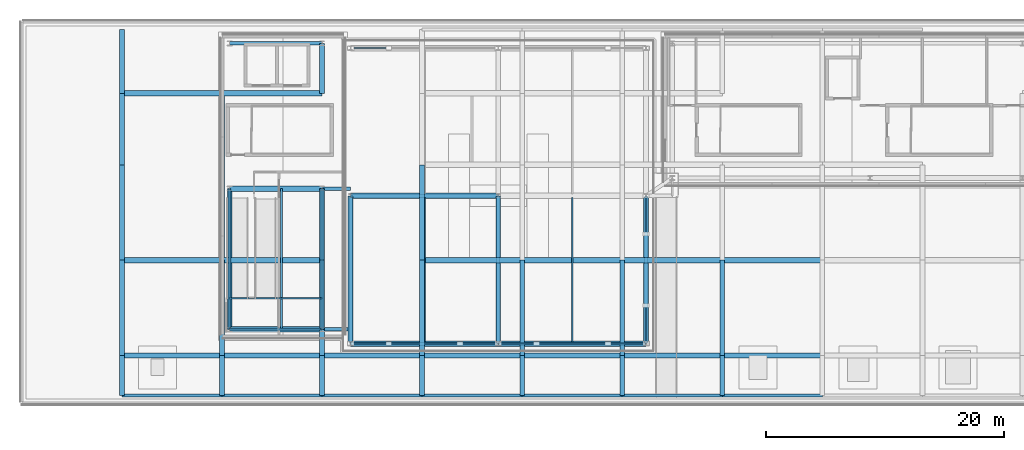
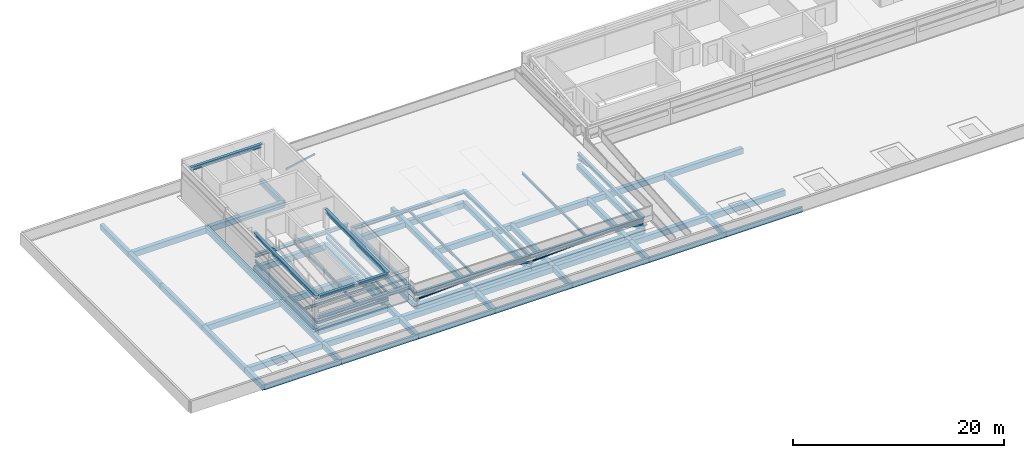
# One storey, part 3 of 14: 73 beams, 9 members.
"""IFC4 building model written with IfcOpenShell, lengths in metres."""

from ifc_helpers import new_model, si_unit, direction, frame, origin, origin_2d, place, context, subcontext, project, spatial, rectangle, hollow_rectangle, hollow_circle, i_section, extrude, material, material_profile, profile_set, type_object, element, save


model = new_model("IFC4")

# Units and contexts
model_context = context("Model", 3, precision=1e-05, world=origin(), true_north=direction((0.0, 1.0)))
body_context = subcontext(model_context, "Body", "Model", "MODEL_VIEW")
ifc_project = project(units=[si_unit("LENGTHUNIT", "METRE"), si_unit("AREAUNIT", "SQUARE_METRE"), si_unit("VOLUMEUNIT", "CUBIC_METRE"), si_unit("PLANEANGLEUNIT", "RADIAN"), si_unit("MASSUNIT", "GRAM", prefix="KILO")], contexts=[model_context])

# Site, building, storey
site_placement = place(None, origin())
site = spatial("IfcSite", under=ifc_project, at=site_placement, CompositionType="ELEMENT")
building_placement = place(site_placement, origin())
building = spatial("IfcBuilding", under=site, at=building_placement, Name="Selatvlak General Hospital", CompositionType="ELEMENT")
storey_placement = place(building_placement, frame((0.0, 0.0, 39.449951171875)))
storey = spatial("IfcBuildingStorey", under=building, at=storey_placement, Name="RF", CompositionType="ELEMENT", Elevation=39.449951171875)

# Beams
ifc_material_1 = material(Name="Concrete C40/50", Category="concrete")
ifc_material_profile_1 = material_profile(ifc_material_1, rectangle(XDim=0.449951171875, YDim=0.64990234375, at=origin_2d()), Name="RC-BM 450x650")
ifc_profile_set_1 = profile_set([ifc_material_profile_1], Name="Concrete C40/50")
beam_type_1 = type_object("IfcBeamType", Name="BM-G04", PredefinedType="BEAM", material=ifc_profile_set_1)
for number, where, z_axis, x_axis, name in (
    (1, (39.60009765625, 92.0, -0.635009765625), (1.0, 0.0, 0.0), (0.0, 1.0, 0.0), "Beam BMR-RF-2732"),
    (2, (48.0, 92.0, -0.635009765625), (1.0, 0.0, 0.0), (0.0, 1.0, 0.0), "Beam BMR-RF-2733"),
):
    element("IfcBeam", number, at=place(storey_placement, frame(where, z_axis=z_axis, x_axis=x_axis)), inside=storey, type_object=beam_type_1, Name=name, PredefinedType="BEAM", context=body_context, shape_type="SweptSolid", body=[
        extrude(rectangle(XDim=0.449951171875, YDim=0.64990234375, at=origin_2d()), origin(), (0.0, 0.0, 1.0), 8.39990234375),
    ])
beam_1_placement = place(storey_placement, frame((56.39990234375, 92.0, -0.635009765625), z_axis=(1.0, 0.0, 0.0), x_axis=(0.0, 1.0, 0.0)))
element("IfcBeam", 3, at=beam_1_placement, inside=storey, type_object=beam_type_1, Name="Beam BMR-RF-2734", PredefinedType="BEAM", context=body_context, shape_type="SweptSolid", body=[
    extrude(rectangle(XDim=0.449951171875, YDim=0.64990234375, at=origin_2d()), origin(), (0.0, 0.0, 1.0), 8.400146484375),
])
beam_2_placement = place(storey_placement, frame((64.800048828125, 92.0, -0.635009765625), z_axis=(1.0, 0.0, 0.0), x_axis=(0.0, 1.0, 0.0)))
element("IfcBeam", 4, at=beam_2_placement, inside=storey, type_object=beam_type_1, Name="Beam BMR-RF-2735", PredefinedType="BEAM", context=body_context, shape_type="SweptSolid", body=[
    extrude(rectangle(XDim=0.449951171875, YDim=0.64990234375, at=origin_2d()), origin(), (0.0, 0.0, 1.0), 8.39990234375),
])
beam_3_placement = place(storey_placement, frame((73.199951171875, 92.0, -0.635009765625), z_axis=(1.0, 0.0, 0.0), x_axis=(0.0, 1.0, 0.0)))
element("IfcBeam", 5, at=beam_3_placement, inside=storey, type_object=beam_type_1, Name="Beam BMR-RF-2736", PredefinedType="BEAM", context=body_context, shape_type="SweptSolid", body=[
    extrude(rectangle(XDim=0.449951171875, YDim=0.64990234375, at=origin_2d()), origin(), (0.0, 0.0, 1.0), 8.400146484375),
])
for number, where, z_axis, x_axis, name in (
    (6, (81.60009765625, 92.0, -0.635009765625), (1.0, 0.0, 0.0), (0.0, 1.0, 0.0), "Beam BMR-RF-2737"),
    (7, (90.0, 92.0, -0.635009765625), (1.0, 0.0, 0.0), (0.0, 1.0, 0.0), "Beam BMR-RF-2738"),
):
    element("IfcBeam", number, at=place(storey_placement, frame(where, z_axis=z_axis, x_axis=x_axis)), inside=storey, type_object=beam_type_1, Name=name, PredefinedType="BEAM", context=body_context, shape_type="SweptSolid", body=[
        extrude(rectangle(XDim=0.449951171875, YDim=0.64990234375, at=origin_2d()), origin(), (0.0, 0.0, 1.0), 8.39990234375),
    ])
beam_4_placement = place(storey_placement, frame((58.800048828125, 93.0, -0.635009765625), z_axis=(1.0, 0.0, 0.0), x_axis=(0.0, 1.0, 0.0)))
element("IfcBeam", 8, at=beam_4_placement, inside=storey, type_object=beam_type_1, Name="Beam BMR-RF-2746", PredefinedType="BEAM", context=body_context, shape_type="SweptSolid", body=[
    extrude(rectangle(XDim=0.449951171875, YDim=0.64990234375, at=origin_2d()), origin(), (0.0, 0.0, 1.0), 12.39990234375),
])
beam_5_placement = place(storey_placement, frame((71.199951171875, 93.0, -0.635009765625), z_axis=(1.0, 0.0, 0.0), x_axis=(0.0, 1.0, 0.0)))
element("IfcBeam", 9, at=beam_5_placement, inside=storey, type_object=beam_type_1, Name="Beam BMR-RF-2747", PredefinedType="BEAM", context=body_context, shape_type="SweptSolid", body=[
    extrude(rectangle(XDim=0.449951171875, YDim=0.64990234375, at=origin_2d()), origin(), (0.0, 0.0, 1.0), 12.400146484375),
])
beam_6_placement = place(storey_placement, frame((48.64990234375, 94.199951171875, -0.635009765625), z_axis=(1.0, 0.0, 0.0), x_axis=(0.0, 1.0, 0.0)))
element("IfcBeam", 10, at=beam_6_placement, inside=storey, type_object=beam_type_1, Name="Beam BMR-RF-2748", PredefinedType="BEAM", context=body_context, shape_type="SweptSolid", body=[
    extrude(rectangle(XDim=0.449951171875, YDim=0.64990234375, at=origin_2d()), origin(), (0.0, 0.0, 1.0), 7.75),
])
for number, where, z_axis, x_axis, name in (
    (11, (39.60009765625, 100.0, -0.635009765625), (1.0, 0.0, 0.0), (0.0, 1.0, 0.0), "Beam BMR-RF-2749"),
    (12, (48.0, 100.0, -0.635009765625), (1.0, 0.0, 0.0), (0.0, 1.0, 0.0), "Beam BMR-RF-2750"),
    (13, (64.800048828125, 100.0, -0.635009765625), (1.0, 0.0, 0.0), (0.0, 1.0, 0.0), "Beam BMR-RF-2751"),
):
    element("IfcBeam", number, at=place(storey_placement, frame(where, z_axis=z_axis, x_axis=x_axis)), inside=storey, type_object=beam_type_1, Name=name, PredefinedType="BEAM", context=body_context, shape_type="SweptSolid", body=[
        extrude(rectangle(XDim=0.449951171875, YDim=0.64990234375, at=origin_2d()), origin(), (0.0, 0.0, 1.0), 8.39990234375),
    ])
beam_7_placement = place(storey_placement, frame((73.199951171875, 100.0, -0.635009765625), z_axis=(1.0, 0.0, 0.0), x_axis=(0.0, 1.0, 0.0)))
element("IfcBeam", 14, at=beam_7_placement, inside=storey, type_object=beam_type_1, Name="Beam BMR-RF-2752", PredefinedType="BEAM", context=body_context, shape_type="SweptSolid", body=[
    extrude(rectangle(XDim=0.449951171875, YDim=0.64990234375, at=origin_2d()), origin(), (0.0, 0.0, 1.0), 8.400146484375),
])
for number, where, z_axis, x_axis, name in (
    (15, (81.60009765625, 100.0, -0.635009765625), (1.0, 0.0, 0.0), (0.0, 1.0, 0.0), "Beam BMR-RF-2753"),
    (16, (90.0, 100.0, -0.635009765625), (1.0, 0.0, 0.0), (0.0, 1.0, 0.0), "Beam BMR-RF-2754"),
):
    element("IfcBeam", number, at=place(storey_placement, frame(where, z_axis=z_axis, x_axis=x_axis)), inside=storey, type_object=beam_type_1, Name=name, PredefinedType="BEAM", context=body_context, shape_type="SweptSolid", body=[
        extrude(rectangle(XDim=0.449951171875, YDim=0.64990234375, at=origin_2d()), origin(), (0.0, 0.0, 1.0), 8.39990234375),
    ])
beam_8_placement = place(storey_placement, frame((58.800048828125, 105.39990234375, -0.635009765625), z_axis=(1.0, 0.0, 0.0), x_axis=(0.0, 1.0, 0.0)))
element("IfcBeam", 17, at=beam_8_placement, inside=storey, type_object=beam_type_1, Name="Beam BMR-RF-2761", PredefinedType="BEAM", context=body_context, shape_type="SweptSolid", body=[
    extrude(rectangle(XDim=0.449951171875, YDim=0.64990234375, at=origin_2d()), origin(), (0.0, 0.0, 1.0), 12.39990234375),
])
beam_9_placement = place(storey_placement, frame((48.64990234375, 106.0, -0.635009765625), z_axis=(1.0, 0.0, 0.0), x_axis=(0.0, 1.0, 0.0)))
element("IfcBeam", 18, at=beam_9_placement, inside=storey, type_object=beam_type_1, Name="Beam BMR-RF-2763", PredefinedType="BEAM", context=body_context, shape_type="SweptSolid", body=[
    extrude(rectangle(XDim=0.449951171875, YDim=0.64990234375, at=origin_2d()), origin(), (0.0, 0.0, 1.0), 7.75),
])
for number, where, z_axis, x_axis, name in (
    (19, (39.60009765625, 114.0, -0.635009765625), (1.0, 0.0, 0.0), (0.0, 1.0, 0.0), "Beam BMR-RF-2772"),
    (20, (48.0, 114.0, -0.635009765625), (1.0, 0.0, 0.0), (0.0, 1.0, 0.0), "Beam BMR-RF-2773"),
):
    element("IfcBeam", number, at=place(storey_placement, frame(where, z_axis=z_axis, x_axis=x_axis)), inside=storey, type_object=beam_type_1, Name=name, PredefinedType="BEAM", context=body_context, shape_type="SweptSolid", body=[
        extrude(rectangle(XDim=0.449951171875, YDim=0.64990234375, at=origin_2d()), origin(), (0.0, 0.0, 1.0), 8.39990234375),
    ])
ifc_material_profile_2 = material_profile(ifc_material_1, rectangle(XDim=0.39990234375, YDim=0.60009765625, at=origin_2d()), Name="RC-BM 400x600")
ifc_profile_set_2 = profile_set([ifc_material_profile_2], Name="Concrete C40/50")
beam_type_2 = type_object("IfcBeamType", Name="BM-G05", PredefinedType="BEAM", material=ifc_profile_set_2)
beam_10_placement = place(storey_placement, frame((39.60009765625, 88.64990234375, -0.60986328125), z_axis=(0.0, 1.0, 0.0), x_axis=(-1.0, 0.0, 0.0)))
element("IfcBeam", 21, at=beam_10_placement, inside=storey, type_object=beam_type_2, Name="Beam BMR-RF-2789", PredefinedType="BEAM", context=body_context, shape_type="SweptSolid", body=[
    extrude(rectangle(XDim=0.39990234375, YDim=0.60009765625, at=origin_2d()), origin(), (0.0, 0.0, 1.0), 3.35009765625),
])
for number, where, z_axis, x_axis, name in (
    (22, (39.60009765625, 92.0, -0.60986328125), (0.0, 1.0, 0.0), (-1.0, 0.0, 0.0), "Beam BMR-RF-2790"),
    (23, (39.60009765625, 100.0, -0.60986328125), (0.0, 1.0, 0.0), (-1.0, 0.0, 0.0), "Beam BMR-RF-2791"),
):
    element("IfcBeam", number, at=place(storey_placement, frame(where, z_axis=z_axis, x_axis=x_axis)), inside=storey, type_object=beam_type_2, Name=name, PredefinedType="BEAM", context=body_context, shape_type="SweptSolid", body=[
        extrude(rectangle(XDim=0.39990234375, YDim=0.60009765625, at=origin_2d()), origin(), (0.0, 0.0, 1.0), 8.0),
    ])
beam_11_placement = place(storey_placement, frame((39.60009765625, 108.0, -0.60986328125), z_axis=(0.0, 1.0, 0.0), x_axis=(-1.0, 0.0, 0.0)))
element("IfcBeam", 24, at=beam_11_placement, inside=storey, type_object=beam_type_2, Name="Beam BMR-RF-2792", PredefinedType="BEAM", context=body_context, shape_type="SweptSolid", body=[
    extrude(rectangle(XDim=0.39990234375, YDim=0.60009765625, at=origin_2d()), origin(), (0.0, 0.0, 1.0), 6.0),
])
beam_12_placement = place(storey_placement, frame((39.60009765625, 114.0, -0.60986328125), z_axis=(0.0, 1.0, 0.0), x_axis=(-1.0, 0.0, 0.0)))
element("IfcBeam", 25, at=beam_12_placement, inside=storey, type_object=beam_type_2, Name="Beam BMR-RF-2793", PredefinedType="BEAM", context=body_context, shape_type="SweptSolid", body=[
    extrude(rectangle(XDim=0.39990234375, YDim=0.60009765625, at=origin_2d()), origin(), (0.0, 0.0, 1.0), 5.35009765625),
])
beam_13_placement = place(storey_placement, frame((48.0, 88.64990234375, -0.60986328125), z_axis=(0.0, 1.0, 0.0), x_axis=(-1.0, 0.0, 0.0)))
element("IfcBeam", 26, at=beam_13_placement, inside=storey, type_object=beam_type_2, Name="Beam BMR-RF-2794", PredefinedType="BEAM", context=body_context, shape_type="SweptSolid", body=[
    extrude(rectangle(XDim=0.39990234375, YDim=0.60009765625, at=origin_2d()), origin(), (0.0, 0.0, 1.0), 3.35009765625),
])
beam_14_placement = place(storey_placement, frame((48.0, 92.0, -0.60986328125), z_axis=(0.0, 1.0, 0.0), x_axis=(-1.0, 0.0, 0.0)))
element("IfcBeam", 27, at=beam_14_placement, inside=storey, type_object=beam_type_2, Name="Beam BMR-RF-2795", PredefinedType="BEAM", context=body_context, shape_type="SweptSolid", body=[
    extrude(rectangle(XDim=0.39990234375, YDim=0.60009765625, at=origin_2d()), origin(), (0.0, 0.0, 1.0), 8.0),
])
beam_15_placement = place(storey_placement, frame((48.0, 100.0, -0.60986328125), z_axis=(0.0, 1.0, 0.0), x_axis=(-1.0, 0.0, 0.0)))
element("IfcBeam", 28, at=beam_15_placement, inside=storey, type_object=beam_type_2, Name="Beam BMR-RF-2796", PredefinedType="BEAM", context=body_context, shape_type="SweptSolid", body=[
    extrude(rectangle(XDim=0.39990234375, YDim=0.60009765625, at=origin_2d()), origin(), (0.0, 0.0, 1.0), 14.0),
])
beam_16_placement = place(storey_placement, frame((48.64990234375, 94.199951171875, -0.60986328125), z_axis=(0.0, 1.0, 0.0), x_axis=(-1.0, 0.0, 0.0)))
element("IfcBeam", 29, at=beam_16_placement, inside=storey, type_object=beam_type_2, Name="Beam BMR-RF-2797", PredefinedType="BEAM", context=body_context, shape_type="SweptSolid", body=[
    extrude(rectangle(XDim=0.39990234375, YDim=0.60009765625, at=origin_2d()), origin(), (0.0, 0.0, 1.0), 11.800048828125),
])
beam_17_placement = place(storey_placement, frame((56.39990234375, 88.64990234375, -0.60986328125), z_axis=(0.0, 1.0, 0.0), x_axis=(-1.0, 0.0, 0.0)))
element("IfcBeam", 30, at=beam_17_placement, inside=storey, type_object=beam_type_2, Name="Beam BMR-RF-2798", PredefinedType="BEAM", context=body_context, shape_type="SweptSolid", body=[
    extrude(rectangle(XDim=0.39990234375, YDim=0.60009765625, at=origin_2d()), origin(), (0.0, 0.0, 1.0), 3.35009765625),
])
beam_18_placement = place(storey_placement, frame((56.39990234375, 92.0, -0.60986328125), z_axis=(0.0, 1.0, 0.0), x_axis=(-1.0, 0.0, 0.0)))
element("IfcBeam", 31, at=beam_18_placement, inside=storey, type_object=beam_type_2, Name="Beam BMR-RF-2799", PredefinedType="BEAM", context=body_context, shape_type="SweptSolid", body=[
    extrude(rectangle(XDim=0.39990234375, YDim=0.60009765625, at=origin_2d()), origin(), (0.0, 0.0, 1.0), 2.199951171875),
])
beam_19_placement = place(storey_placement, frame((56.39990234375, 94.199951171875, -0.60986328125), z_axis=(0.0, 1.0, 0.0), x_axis=(-1.0, 0.0, 0.0)))
element("IfcBeam", 32, at=beam_19_placement, inside=storey, type_object=beam_type_2, Name="Beam BMR-RF-2800", PredefinedType="BEAM", context=body_context, shape_type="SweptSolid", body=[
    extrude(rectangle(XDim=0.39990234375, YDim=0.60009765625, at=origin_2d()), origin(), (0.0, 0.0, 1.0), 5.800048828125),
])
beam_20_placement = place(storey_placement, frame((56.39990234375, 100.0, -0.60986328125), z_axis=(0.0, 1.0, 0.0), x_axis=(-1.0, 0.0, 0.0)))
element("IfcBeam", 33, at=beam_20_placement, inside=storey, type_object=beam_type_2, Name="Beam BMR-RF-2801", PredefinedType="BEAM", context=body_context, shape_type="SweptSolid", body=[
    extrude(rectangle(XDim=0.39990234375, YDim=0.60009765625, at=origin_2d()), origin(), (0.0, 0.0, 1.0), 6.0),
])
beam_21_placement = place(storey_placement, frame((56.39990234375, 114.0, -0.60986328125), z_axis=(0.0, 1.0, 0.0), x_axis=(-1.0, 0.0, 0.0)))
element("IfcBeam", 34, at=beam_21_placement, inside=storey, type_object=beam_type_2, Name="Beam BMR-RF-2802", PredefinedType="BEAM", context=body_context, shape_type="SweptSolid", body=[
    extrude(rectangle(XDim=0.39990234375, YDim=0.60009765625, at=origin_2d()), origin(), (0.0, 0.0, 1.0), 4.199951171875),
])
beam_22_placement = place(storey_placement, frame((58.800048828125, 93.0, -0.60986328125), z_axis=(0.0, 1.0, 0.0), x_axis=(-1.0, 0.0, 0.0)))
element("IfcBeam", 35, at=beam_22_placement, inside=storey, type_object=beam_type_2, Name="Beam BMR-RF-2803", PredefinedType="BEAM", context=body_context, shape_type="SweptSolid", body=[
    extrude(rectangle(XDim=0.39990234375, YDim=0.60009765625, at=origin_2d()), origin(), (0.0, 0.0, 1.0), 12.39990234375),
])
beam_23_placement = place(storey_placement, frame((64.800048828125, 88.64990234375, -0.60986328125), z_axis=(0.0, 1.0, 0.0), x_axis=(-1.0, 0.0, 0.0)))
element("IfcBeam", 36, at=beam_23_placement, inside=storey, type_object=beam_type_2, Name="Beam BMR-RF-2804", PredefinedType="BEAM", context=body_context, shape_type="SweptSolid", body=[
    extrude(rectangle(XDim=0.39990234375, YDim=0.60009765625, at=origin_2d()), origin(), (0.0, 0.0, 1.0), 3.35009765625),
])
for number, where, z_axis, x_axis, name in (
    (37, (64.800048828125, 92.0, -0.60986328125), (0.0, 1.0, 0.0), (-1.0, 0.0, 0.0), "Beam BMR-RF-2805"),
    (38, (64.800048828125, 100.0, -0.60986328125), (0.0, 1.0, 0.0), (-1.0, 0.0, 0.0), "Beam BMR-RF-2806"),
):
    element("IfcBeam", number, at=place(storey_placement, frame(where, z_axis=z_axis, x_axis=x_axis)), inside=storey, type_object=beam_type_2, Name=name, PredefinedType="BEAM", context=body_context, shape_type="SweptSolid", body=[
        extrude(rectangle(XDim=0.39990234375, YDim=0.60009765625, at=origin_2d()), origin(), (0.0, 0.0, 1.0), 8.0),
    ])
beam_24_placement = place(storey_placement, frame((71.199951171875, 93.0, -0.60986328125), z_axis=(0.0, 1.0, 0.0), x_axis=(-1.0, 0.0, 0.0)))
element("IfcBeam", 39, at=beam_24_placement, inside=storey, type_object=beam_type_2, Name="Beam BMR-RF-2809", PredefinedType="BEAM", context=body_context, shape_type="SweptSolid", body=[
    extrude(rectangle(XDim=0.39990234375, YDim=0.60009765625, at=origin_2d()), origin(), (0.0, 0.0, 1.0), 12.39990234375),
])
beam_25_placement = place(storey_placement, frame((73.199951171875, 88.64990234375, -0.60986328125), z_axis=(0.0, 1.0, 0.0), x_axis=(-1.0, 0.0, 0.0)))
element("IfcBeam", 40, at=beam_25_placement, inside=storey, type_object=beam_type_2, Name="Beam BMR-RF-2811", PredefinedType="BEAM", context=body_context, shape_type="SweptSolid", body=[
    extrude(rectangle(XDim=0.39990234375, YDim=0.60009765625, at=origin_2d()), origin(), (0.0, 0.0, 1.0), 3.35009765625),
])
beam_26_placement = place(storey_placement, frame((73.199951171875, 92.0, -0.60986328125), z_axis=(0.0, 1.0, 0.0), x_axis=(-1.0, 0.0, 0.0)))
element("IfcBeam", 41, at=beam_26_placement, inside=storey, type_object=beam_type_2, Name="Beam BMR-RF-2812", PredefinedType="BEAM", context=body_context, shape_type="SweptSolid", body=[
    extrude(rectangle(XDim=0.39990234375, YDim=0.60009765625, at=origin_2d()), origin(), (0.0, 0.0, 1.0), 8.0),
])
beam_27_placement = place(storey_placement, frame((81.60009765625, 88.64990234375, -0.60986328125), z_axis=(0.0, 1.0, 0.0), x_axis=(-1.0, 0.0, 0.0)))
element("IfcBeam", 42, at=beam_27_placement, inside=storey, type_object=beam_type_2, Name="Beam BMR-RF-2816", PredefinedType="BEAM", context=body_context, shape_type="SweptSolid", body=[
    extrude(rectangle(XDim=0.39990234375, YDim=0.60009765625, at=origin_2d()), origin(), (0.0, 0.0, 1.0), 3.35009765625),
])
beam_28_placement = place(storey_placement, frame((81.60009765625, 92.0, -0.60986328125), z_axis=(0.0, 1.0, 0.0), x_axis=(-1.0, 0.0, 0.0)))
element("IfcBeam", 43, at=beam_28_placement, inside=storey, type_object=beam_type_2, Name="Beam BMR-RF-2817", PredefinedType="BEAM", context=body_context, shape_type="SweptSolid", body=[
    extrude(rectangle(XDim=0.39990234375, YDim=0.60009765625, at=origin_2d()), origin(), (0.0, 0.0, 1.0), 8.0),
])
beam_29_placement = place(storey_placement, frame((83.60009765625, 93.0, -0.60986328125), z_axis=(0.0, 1.0, 0.0), x_axis=(-1.0, 0.0, 0.0)))
element("IfcBeam", 44, at=beam_29_placement, inside=storey, type_object=beam_type_2, Name="Beam BMR-RF-2821", PredefinedType="BEAM", context=body_context, shape_type="SweptSolid", body=[
    extrude(rectangle(XDim=0.39990234375, YDim=0.60009765625, at=origin_2d()), origin(), (0.0, 0.0, 1.0), 12.39990234375),
])
beam_30_placement = place(storey_placement, frame((90.0, 88.64990234375, -0.60986328125), z_axis=(0.0, 1.0, 0.0), x_axis=(-1.0, 0.0, 0.0)))
element("IfcBeam", 45, at=beam_30_placement, inside=storey, type_object=beam_type_2, Name="Beam BMR-RF-2824", PredefinedType="BEAM", context=body_context, shape_type="SweptSolid", body=[
    extrude(rectangle(XDim=0.39990234375, YDim=0.60009765625, at=origin_2d()), origin(), (0.0, 0.0, 1.0), 3.35009765625),
])
beam_31_placement = place(storey_placement, frame((90.0, 92.0, -0.60986328125), z_axis=(0.0, 1.0, 0.0), x_axis=(-1.0, 0.0, 0.0)))
element("IfcBeam", 46, at=beam_31_placement, inside=storey, type_object=beam_type_2, Name="Beam BMR-RF-2825", PredefinedType="BEAM", context=body_context, shape_type="SweptSolid", body=[
    extrude(rectangle(XDim=0.39990234375, YDim=0.60009765625, at=origin_2d()), origin(), (0.0, 0.0, 1.0), 8.0),
])
ifc_material_2 = material(Name="Steel S355", Category="steel")
ifc_material_profile_3 = material_profile(ifc_material_2, i_section(OverallWidth=0.300048828125, OverallDepth=0.39990234375, WebThickness=0.013427734375, FlangeThickness=0.02392578125, at=origin_2d()), Name="HEB 400")
ifc_profile_set_3 = profile_set([ifc_material_profile_3], Name="Steel S355")
beam_type_3 = type_object("IfcBeamType", Name="BM-HLP", PredefinedType="BEAM", material=ifc_profile_set_3)
beam_32_placement = place(storey_placement, frame((58.800048828125, 93.0, 0.8349609375), z_axis=(1.0, 0.0, 0.0), x_axis=(0.0, 1.0, 0.0)))
element("IfcBeam", 47, at=beam_32_placement, inside=storey, type_object=beam_type_3, Name="Beam BMR-RF-2874", PredefinedType="BEAM", context=body_context, shape_type="SweptSolid", body=[
    extrude(i_section(OverallWidth=0.300048828125, OverallDepth=0.39990234375, WebThickness=0.013427734375, FlangeThickness=0.02392578125, at=origin_2d()), origin(), (0.0, 0.0, 1.0), 12.39990234375),
])
beam_33_placement = place(storey_placement, frame((71.199951171875, 93.0, 0.8349609375), z_axis=(1.0, 0.0, 0.0), x_axis=(0.0, 1.0, 0.0)))
element("IfcBeam", 48, at=beam_33_placement, inside=storey, type_object=beam_type_3, Name="Beam BMR-RF-2875", PredefinedType="BEAM", context=body_context, shape_type="SweptSolid", body=[
    extrude(i_section(OverallWidth=0.300048828125, OverallDepth=0.39990234375, WebThickness=0.013427734375, FlangeThickness=0.02392578125, at=origin_2d()), origin(), (0.0, 0.0, 1.0), 12.400146484375),
])
for number, where, z_axis, x_axis, name in (
    (49, (58.800048828125, 105.39990234375, 0.8349609375), (1.0, 0.0, 0.0), (0.0, 1.0, 0.0), "Beam BMR-RF-2876"),
    (50, (58.800048828125, 93.0, 0.8349609375), (0.0, 1.0, 0.0), (-1.0, 0.0, 0.0), "Beam BMR-RF-2880"),
    (51, (71.199951171875, 93.0, 0.8349609375), (0.0, 1.0, 0.0), (-1.0, 0.0, 0.0), "Beam BMR-RF-2881"),
    (52, (83.60009765625, 93.0, 0.8349609375), (0.0, 1.0, 0.0), (-1.0, 0.0, 0.0), "Beam BMR-RF-2883"),
):
    element("IfcBeam", number, at=place(storey_placement, frame(where, z_axis=z_axis, x_axis=x_axis)), inside=storey, type_object=beam_type_3, Name=name, PredefinedType="BEAM", context=body_context, shape_type="SweptSolid", body=[
        extrude(i_section(OverallWidth=0.300048828125, OverallDepth=0.39990234375, WebThickness=0.013427734375, FlangeThickness=0.02392578125, at=origin_2d()), origin(), (0.0, 0.0, 1.0), 12.39990234375),
    ])
for number, where, z_axis, x_axis, name in (
    (53, (48.64990234375, 94.199951171875, 3.25), (1.0, 0.0, 0.0), (0.0, 1.0, 0.0), "Beam BMR-RF-2889"),
    (54, (48.64990234375, 118.199951171875, 3.570068359375), (1.0, 0.0, 0.0), (0.0, 1.0, 0.0), "Beam BMR-RF-2890"),
):
    element("IfcBeam", number, at=place(storey_placement, frame(where, z_axis=z_axis, x_axis=x_axis)), inside=storey, type_object=beam_type_3, Name=name, PredefinedType="BEAM", context=body_context, shape_type="SweptSolid", body=[
        extrude(i_section(OverallWidth=0.300048828125, OverallDepth=0.39990234375, WebThickness=0.013427734375, FlangeThickness=0.02392578125, at=origin_2d()), origin(), (0.0, 0.0, 1.0), 7.75),
    ])
for number, where, z_axis, x_axis, name in (
    (55, (48.64990234375, 94.199951171875, 3.25), (0.0, 0.999883763708, 0.015246608608), (-1.0, 0.0, 0.0), "Beam BMR-RF-2891"),
    (56, (56.39990234375, 94.199951171875, 3.25), (0.0, 0.999883763708, 0.015246608608), (-1.0, 0.0, 0.0), "Beam BMR-RF-2892"),
):
    element("IfcBeam", number, at=place(storey_placement, frame(where, z_axis=z_axis, x_axis=x_axis)), inside=storey, type_object=beam_type_3, Name=name, PredefinedType="BEAM", context=body_context, shape_type="SweptSolid", body=[
        extrude(i_section(OverallWidth=0.300048828125, OverallDepth=0.39990234375, WebThickness=0.013427734375, FlangeThickness=0.02392578125, at=origin_2d()), origin(), (0.0, 0.0, 1.0), 11.801513671875),
    ])
for number, where, z_axis, x_axis, name in (
    (57, (48.64990234375, 94.199951171875, 0.93505859375), (1.0, 0.0, 0.0), (0.0, 1.0, 0.0), "Beam BMR-RF-2901"),
    (58, (48.64990234375, 106.0, 0.93505859375), (1.0, 0.0, 0.0), (0.0, 1.0, 0.0), "Beam BMR-RF-2902"),
):
    element("IfcBeam", number, at=place(storey_placement, frame(where, z_axis=z_axis, x_axis=x_axis)), inside=storey, type_object=beam_type_3, Name=name, PredefinedType="BEAM", context=body_context, shape_type="SweptSolid", body=[
        extrude(i_section(OverallWidth=0.300048828125, OverallDepth=0.39990234375, WebThickness=0.013427734375, FlangeThickness=0.02392578125, at=origin_2d()), origin(), (0.0, 0.0, 1.0), 10.150146484375),
    ])
ifc_material_profile_4 = material_profile(ifc_material_2, i_section(OverallWidth=0.14990234375, OverallDepth=0.300048828125, WebThickness=0.007080078125, FlangeThickness=0.0107421875, at=origin_2d()), Name="IPE 300")
ifc_profile_set_4 = profile_set([ifc_material_profile_4], Name="Steel S355")
beam_type_4 = type_object("IfcBeamType", Name="BM-J06", PredefinedType="JOIST", material=ifc_profile_set_4)
for number, where, z_axis, x_axis, name in (
    (59, (65.0, 93.14990234375, 0.885009765625), (0.0, 1.0, 0.0), (-1.0, 0.0, 0.0), "Beam BMR-RF-2885"),
    (60, (77.39990234375, 93.14990234375, 0.885009765625), (0.0, 1.0, 0.0), (-1.0, 0.0, 0.0), "Beam BMR-RF-2887"),
):
    element("IfcBeam", number, at=place(storey_placement, frame(where, z_axis=z_axis, x_axis=x_axis)), inside=storey, type_object=beam_type_4, Name=name, PredefinedType="JOIST", context=body_context, shape_type="SweptSolid", body=[
        extrude(i_section(OverallWidth=0.14990234375, OverallDepth=0.300048828125, WebThickness=0.007080078125, FlangeThickness=0.0107421875, at=origin_2d()), origin(), (0.0, 0.0, 1.0), 12.10009765625),
    ])
for number, where, z_axis, x_axis, name in (
    (61, (53.0, 94.199951171875, 0.985107421875), (0.0, 1.0, 0.0), (-1.0, 0.0, 0.0), "Beam BMR-RF-2903"),
    (62, (56.39990234375, 94.199951171875, 0.985107421875), (0.0, 1.0, 0.0), (-1.0, 0.0, 0.0), "Beam BMR-RF-2904"),
):
    element("IfcBeam", number, at=place(storey_placement, frame(where, z_axis=z_axis, x_axis=x_axis)), inside=storey, type_object=beam_type_4, Name=name, PredefinedType="JOIST", context=body_context, shape_type="SweptSolid", body=[
        extrude(i_section(OverallWidth=0.14990234375, OverallDepth=0.300048828125, WebThickness=0.007080078125, FlangeThickness=0.0107421875, at=origin_2d()), origin(), (0.0, 0.0, 1.0), 11.800048828125),
    ])
beam_34_placement = place(storey_placement, frame((48.64990234375, 94.199951171875, 0.330078125), z_axis=(1.0, 0.0, 0.0), x_axis=(0.0, 1.0, 0.0)))
element("IfcBeam", 63, at=beam_34_placement, inside=storey, type_object=beam_type_4, Name="Beam BMR-RF-2905", PredefinedType="JOIST", context=body_context, shape_type="SweptSolid", body=[
    extrude(i_section(OverallWidth=0.14990234375, OverallDepth=0.300048828125, WebThickness=0.007080078125, FlangeThickness=0.0107421875, at=origin_2d()), origin(), (0.0, 0.0, 1.0), 7.75),
])
for number, where, z_axis, x_axis, name in (
    (64, (48.64990234375, 94.199951171875, 0.330078125), (0.0, 1.0, 0.0), (-1.0, 0.0, 0.0), "Beam BMR-RF-2906"),
    (65, (56.39990234375, 94.199951171875, 0.330078125), (0.0, 1.0, 0.0), (-1.0, 0.0, 0.0), "Beam BMR-RF-2907"),
):
    element("IfcBeam", number, at=place(storey_placement, frame(where, z_axis=z_axis, x_axis=x_axis)), inside=storey, type_object=beam_type_4, Name=name, PredefinedType="JOIST", context=body_context, shape_type="SweptSolid", body=[
        extrude(i_section(OverallWidth=0.14990234375, OverallDepth=0.300048828125, WebThickness=0.007080078125, FlangeThickness=0.0107421875, at=origin_2d()), origin(), (0.0, 0.0, 1.0), 11.800048828125),
    ])
beam_35_placement = place(storey_placement, frame((48.64990234375, 96.800048828125, 0.330078125), z_axis=(1.0, 0.0, 0.0), x_axis=(0.0, 1.0, 0.0)))
element("IfcBeam", 66, at=beam_35_placement, inside=storey, type_object=beam_type_4, Name="Beam BMR-RF-2908", PredefinedType="JOIST", context=body_context, shape_type="SweptSolid", body=[
    extrude(i_section(OverallWidth=0.14990234375, OverallDepth=0.300048828125, WebThickness=0.007080078125, FlangeThickness=0.0107421875, at=origin_2d()), origin(), (0.0, 0.0, 1.0), 7.75),
])
ifc_material_profile_5 = material_profile(ifc_material_1, rectangle(XDim=0.25, YDim=0.550048828125, at=origin_2d()), Name="RC-SP 250x550")
ifc_profile_set_5 = profile_set([ifc_material_profile_5], Name="Concrete C40/50")
beam_type_5 = type_object("IfcBeamType", Name="BM-SP2", PredefinedType="SPANDREL", material=ifc_profile_set_5)
for number, where, z_axis, x_axis, name in (
    (67, (39.60009765625, 88.64990234375, -0.5849609375), (1.0, 0.0, 0.0), (0.0, 1.0, 0.0), "Beam BMR-RF-2718"),
    (68, (48.0, 88.64990234375, -0.5849609375), (1.0, 0.0, 0.0), (0.0, 1.0, 0.0), "Beam BMR-RF-2719"),
):
    element("IfcBeam", number, at=place(storey_placement, frame(where, z_axis=z_axis, x_axis=x_axis)), inside=storey, type_object=beam_type_5, Name=name, PredefinedType="SPANDREL", context=body_context, shape_type="SweptSolid", body=[
        extrude(rectangle(XDim=0.25, YDim=0.550048828125, at=origin_2d()), origin(), (0.0, 0.0, 1.0), 8.39990234375),
    ])
beam_36_placement = place(storey_placement, frame((56.39990234375, 88.64990234375, -0.5849609375), z_axis=(1.0, 0.0, 0.0), x_axis=(0.0, 1.0, 0.0)))
element("IfcBeam", 69, at=beam_36_placement, inside=storey, type_object=beam_type_5, Name="Beam BMR-RF-2720", PredefinedType="SPANDREL", context=body_context, shape_type="SweptSolid", body=[
    extrude(rectangle(XDim=0.25, YDim=0.550048828125, at=origin_2d()), origin(), (0.0, 0.0, 1.0), 8.400146484375),
])
beam_37_placement = place(storey_placement, frame((64.800048828125, 88.64990234375, -0.5849609375), z_axis=(1.0, 0.0, 0.0), x_axis=(0.0, 1.0, 0.0)))
element("IfcBeam", 70, at=beam_37_placement, inside=storey, type_object=beam_type_5, Name="Beam BMR-RF-2721", PredefinedType="SPANDREL", context=body_context, shape_type="SweptSolid", body=[
    extrude(rectangle(XDim=0.25, YDim=0.550048828125, at=origin_2d()), origin(), (0.0, 0.0, 1.0), 8.39990234375),
])
beam_38_placement = place(storey_placement, frame((73.199951171875, 88.64990234375, -0.5849609375), z_axis=(1.0, 0.0, 0.0), x_axis=(0.0, 1.0, 0.0)))
element("IfcBeam", 71, at=beam_38_placement, inside=storey, type_object=beam_type_5, Name="Beam BMR-RF-2722", PredefinedType="SPANDREL", context=body_context, shape_type="SweptSolid", body=[
    extrude(rectangle(XDim=0.25, YDim=0.550048828125, at=origin_2d()), origin(), (0.0, 0.0, 1.0), 8.400146484375),
])
for number, where, z_axis, x_axis, name in (
    (72, (81.60009765625, 88.64990234375, -0.5849609375), (1.0, 0.0, 0.0), (0.0, 1.0, 0.0), "Beam BMR-RF-2723"),
    (73, (90.0, 88.64990234375, -0.5849609375), (1.0, 0.0, 0.0), (0.0, 1.0, 0.0), "Beam BMR-RF-2724"),
):
    element("IfcBeam", number, at=place(storey_placement, frame(where, z_axis=z_axis, x_axis=x_axis)), inside=storey, type_object=beam_type_5, Name=name, PredefinedType="SPANDREL", context=body_context, shape_type="SweptSolid", body=[
        extrude(rectangle(XDim=0.25, YDim=0.550048828125, at=origin_2d()), origin(), (0.0, 0.0, 1.0), 8.39990234375),
    ])

# Members
ifc_material_profile_6 = material_profile(ifc_material_2, hollow_circle(Radius=0.084228515625, WallThickness=0.00634765625, at=origin_2d()), Name="CHS 168.3x6.3")
ifc_profile_set_6 = profile_set([ifc_material_profile_6], Name="Steel S355")
member_type_1 = type_object("IfcMemberType", Name="MEM-BR2", PredefinedType="BRACE", material=ifc_profile_set_6)
member_1_placement = place(storey_placement, frame((58.800048828125, 93.0, 0.170166015625), z_axis=(0.998565918417, 0.0, 0.053536030633), x_axis=(0.0, 1.0, 0.0)))
element("IfcMember", 74, at=member_1_placement, inside=storey, type_object=member_type_1, Name="Helipad deck diagonal steel brace 1-93", PredefinedType="BRACE", context=body_context, shape_type="SweptSolid", body=[
    extrude(hollow_circle(Radius=0.084228515625, WallThickness=0.00634765625, at=origin_2d()), origin(), (0.0, 0.0, 1.0), 12.417724609375),
])
member_2_placement = place(storey_placement, frame((71.199951171875, 93.0, 0.170166015625), z_axis=(0.998565974765, 0.0, 0.053534979608), x_axis=(0.0, 1.0, 0.0)))
element("IfcMember", 75, at=member_2_placement, inside=storey, type_object=member_type_1, Name="Helipad deck diagonal steel brace 2-93", PredefinedType="BRACE", context=body_context, shape_type="SweptSolid", body=[
    extrude(hollow_circle(Radius=0.084228515625, WallThickness=0.00634765625, at=origin_2d()), origin(), (0.0, 0.0, 1.0), 12.41796875),
])
ifc_material_profile_7 = material_profile(ifc_material_2, hollow_rectangle(XDim=0.10009765625, YDim=0.199951171875, WallThickness=0.008056640625, at=origin_2d()), Name="RHS 200x100x8")
ifc_profile_set_7 = profile_set([ifc_material_profile_7], Name="Steel S355")
member_type_2 = type_object("IfcMemberType", Name="MEM-ST2", PredefinedType="STRUT", material=ifc_profile_set_7)
for number, where, z_axis, x_axis, name in (
    (76, (58.800048828125, 93.0, 0.170166015625), (0.979093995619, 0.0, 0.203408327616), (0.0, 1.0, 0.0), "Helipad deck knee-brace steel strut 01"),
    (77, (71.199951171875, 93.0, 0.170166015625), (-0.979093995619, 0.0, 0.203408327616), (0.0, -1.0, 0.0), "Helipad deck knee-brace steel strut 02"),
    (78, (71.199951171875, 93.0, 0.170166015625), (0.979093995619, 0.0, 0.203408327616), (0.0, 1.0, 0.0), "Helipad deck knee-brace steel strut 03"),
):
    element("IfcMember", number, at=place(storey_placement, frame(where, z_axis=z_axis, x_axis=x_axis)), inside=storey, type_object=member_type_2, Name=name, PredefinedType="STRUT", context=body_context, shape_type="SweptSolid", body=[
        extrude(hollow_rectangle(XDim=0.10009765625, YDim=0.199951171875, WallThickness=0.008056640625, at=origin_2d()), origin(), (0.0, 0.0, 1.0), 3.268310546875),
    ])
member_3_placement = place(storey_placement, frame((83.60009765625, 93.0, 0.170166015625), z_axis=(-0.979097085992, 0.0, 0.203393451721), x_axis=(0.0, -1.0, 0.0)))
element("IfcMember", 79, at=member_3_placement, inside=storey, type_object=member_type_2, Name="Helipad deck knee-brace steel strut 04", PredefinedType="STRUT", context=body_context, shape_type="SweptSolid", body=[
    extrude(hollow_rectangle(XDim=0.10009765625, YDim=0.199951171875, WallThickness=0.008056640625, at=origin_2d()), origin(), (0.0, 0.0, 1.0), 3.2685546875),
])
for number, where, z_axis, x_axis, name in (
    (80, (83.60009765625, 105.39990234375, 0.170166015625), (0.0, -0.979093995619, 0.203408327616), (1.0, 0.0, 0.0), "Helipad deck knee-brace steel strut 05"),
    (81, (83.60009765625, 93.0, 0.170166015625), (0.0, 0.979093995619, 0.203408327616), (-1.0, 0.0, 0.0), "Helipad deck knee-brace steel strut 06"),
    (82, (58.800048828125, 117.800048828125, 0.170166015625), (0.979093995619, 0.0, 0.203408327616), (0.0, 1.0, 0.0), "Helipad deck knee-brace steel strut 07"),
):
    element("IfcMember", number, at=place(storey_placement, frame(where, z_axis=z_axis, x_axis=x_axis)), inside=storey, type_object=member_type_2, Name=name, PredefinedType="STRUT", context=body_context, shape_type="SweptSolid", body=[
        extrude(hollow_rectangle(XDim=0.10009765625, YDim=0.199951171875, WallThickness=0.008056640625, at=origin_2d()), origin(), (0.0, 0.0, 1.0), 3.268310546875),
    ])

save(model, "model.ifc")
